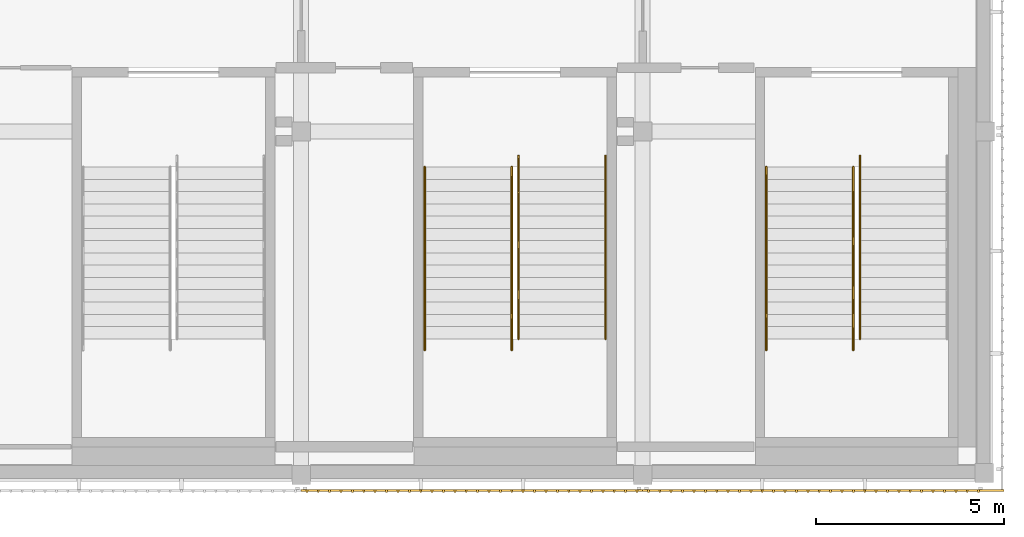
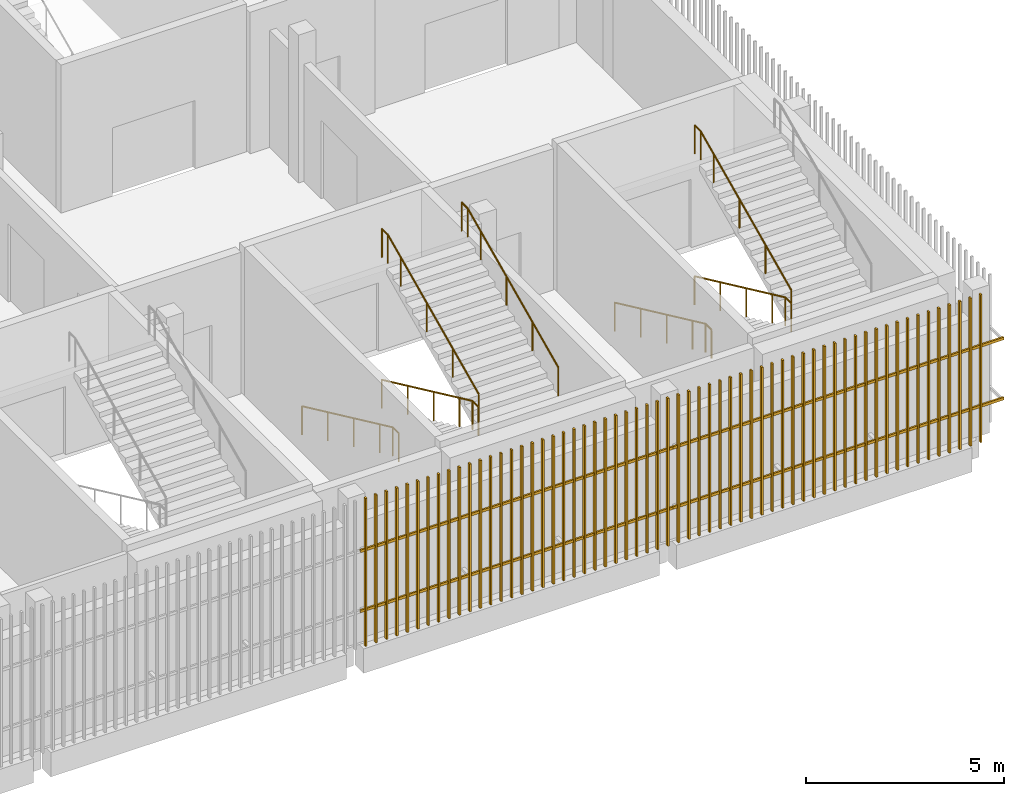
# One storey, part 83 of 91: 7 railings, 2 shading devices.
"""IFC4 building model written with IfcOpenShell, lengths in metres."""

from ifc_helpers import new_model, si_unit, direction, frame, origin, origin_2d, place, context, subcontext, project, spatial, rectangle, circle, extrude, material, type_object, element, save


model = new_model("IFC4")

# Units and contexts
model_context = context("Model", 3, precision=1e-05, world=origin(), true_north=direction((0.0, 1.0)))
body_context = subcontext(model_context, "Body", "Model", "MODEL_VIEW")
ifc_project = project(units=[si_unit("LENGTHUNIT", "METRE"), si_unit("AREAUNIT", "SQUARE_METRE"), si_unit("VOLUMEUNIT", "CUBIC_METRE"), si_unit("PLANEANGLEUNIT", "RADIAN"), si_unit("MASSUNIT", "GRAM", prefix="KILO")], contexts=[model_context])

# Site, building, storey
site_placement = place(None, origin())
site = spatial("IfcSite", under=ifc_project, at=site_placement, CompositionType="ELEMENT")
building_placement = place(site_placement, origin())
building = spatial("IfcBuilding", under=site, at=building_placement, Name="Shirokan Park Arena", CompositionType="ELEMENT")
storey_placement = place(building_placement, frame((0.0, 0.0, 24.570068359375)))
storey = spatial("IfcBuildingStorey", under=building, at=storey_placement, Name="L05", CompositionType="ELEMENT", Elevation=24.570068359375)

# Railings
ifc_material_1 = material(Name="Stainless steel", Category="steel")
railing_type = type_object("IfcRailingType", Name="Stair handrail 900", PredefinedType="HANDRAIL", material=ifc_material_1)
railing_1_placement = place(storey_placement, frame((139.7900390625, 8.14990234375, 0.151611328125)))
element("IfcRailing", 1, at=railing_1_placement, inside=storey, type_object=railing_type, Name="Handrail Exit Stair 2.A L05 to L06", PredefinedType="HANDRAIL", context=body_context, shape_type="SweptSolid", body=[
    extrude(circle(Radius=0.02392578125, at=origin_2d()), frame((0.0, 0.0, 0.8759765625), z_axis=(0.0, -0.906999720516, 0.421131222998), x_axis=(1.0, 0.0, 0.0)), (0.0, 0.0, 1.0), 1.440673828125),
    extrude(circle(Radius=0.02392578125, at=origin_2d()), frame((0.0, -1.306640625, 1.482421875), z_axis=(0.0, -0.907029769225, 0.421066500378), x_axis=(1.0, 0.0, 0.0)), (0.0, 0.0, 1.0), 1.44091796875),
    extrude(circle(Radius=0.02392578125, at=origin_2d()), frame((0.0, -2.613525390625, 2.08935546875), z_axis=(0.0, -0.907029769225, 0.421066500378), x_axis=(1.0, 0.0, 0.0)), (0.0, 0.0, 1.0), 1.44091796875),
    extrude(circle(Radius=0.02392578125, at=origin_2d()), frame((0.0, -3.92041015625, 2.69580078125), z_axis=(0.0, -0.907064445915, 0.420991794405), x_axis=(1.0, 0.0, 0.0)), (0.0, 0.0, 1.0), 0.72021484375),
    extrude(circle(Radius=0.02392578125, at=origin_2d()), frame((0.0, -4.57373046875, 2.9990234375), z_axis=(0.0, -1.0, 0.0), x_axis=(1.0, 0.0, 0.0)), (0.0, 0.0, 1.0), 0.300048828125),
    extrude(circle(Radius=0.02099609375, at=origin_2d()), origin(), (0.0, 0.0, 1.0), 0.851806640625),
    extrude(circle(Radius=0.02099609375, at=origin_2d()), frame((0.0, -1.306640625, 0.606689453125)), (0.0, 0.0, 1.0), 0.851806640625),
    extrude(circle(Radius=0.02099609375, at=origin_2d()), frame((0.0, -2.613525390625, 1.21337890625)), (0.0, 0.0, 1.0), 0.851806640625),
    extrude(circle(Radius=0.02099609375, at=origin_2d()), frame((0.0, -3.92041015625, 1.820068359375)), (0.0, 0.0, 1.0), 0.851806640625),
    extrude(circle(Radius=0.02099609375, at=origin_2d()), frame((0.0, -4.57373046875, 2.123291015625)), (0.0, 0.0, 1.0), 0.851806640625),
    extrude(circle(Radius=0.02099609375, at=origin_2d()), frame((0.0, -4.873779296875, 2.123291015625)), (0.0, 0.0, 1.0), 0.851806640625),
])
railing_2_placement = place(storey_placement, frame((142.110107421875, 8.14990234375, 0.151611328125)))
element("IfcRailing", 2, at=railing_2_placement, inside=storey, type_object=railing_type, Name="Handrail Exit Stair 2.A L05 to L06", PredefinedType="HANDRAIL", context=body_context, shape_type="SweptSolid", body=[
    extrude(circle(Radius=0.02392578125, at=origin_2d()), frame((0.0, 0.0, 0.8759765625), z_axis=(0.0, -0.906999720516, 0.421131222998), x_axis=(1.0, 0.0, 0.0)), (0.0, 0.0, 1.0), 1.440673828125),
    extrude(circle(Radius=0.02392578125, at=origin_2d()), frame((0.0, -1.306640625, 1.482421875), z_axis=(0.0, -0.907029769225, 0.421066500378), x_axis=(1.0, 0.0, 0.0)), (0.0, 0.0, 1.0), 1.44091796875),
    extrude(circle(Radius=0.02392578125, at=origin_2d()), frame((0.0, -2.613525390625, 2.08935546875), z_axis=(0.0, -0.907029769225, 0.421066500378), x_axis=(1.0, 0.0, 0.0)), (0.0, 0.0, 1.0), 1.44091796875),
    extrude(circle(Radius=0.02392578125, at=origin_2d()), frame((0.0, -3.92041015625, 2.69580078125), z_axis=(0.0, -0.907064445915, 0.420991794405), x_axis=(1.0, 0.0, 0.0)), (0.0, 0.0, 1.0), 0.72021484375),
    extrude(circle(Radius=0.02392578125, at=origin_2d()), frame((0.0, -4.57373046875, 2.9990234375), z_axis=(0.0, -1.0, 0.0), x_axis=(1.0, 0.0, 0.0)), (0.0, 0.0, 1.0), 0.300048828125),
    extrude(circle(Radius=0.02099609375, at=origin_2d()), origin(), (0.0, 0.0, 1.0), 0.851806640625),
    extrude(circle(Radius=0.02099609375, at=origin_2d()), frame((0.0, -1.306640625, 0.606689453125)), (0.0, 0.0, 1.0), 0.851806640625),
    extrude(circle(Radius=0.02099609375, at=origin_2d()), frame((0.0, -2.613525390625, 1.21337890625)), (0.0, 0.0, 1.0), 0.851806640625),
    extrude(circle(Radius=0.02099609375, at=origin_2d()), frame((0.0, -3.92041015625, 1.820068359375)), (0.0, 0.0, 1.0), 0.851806640625),
    extrude(circle(Radius=0.02099609375, at=origin_2d()), frame((0.0, -4.57373046875, 2.123291015625)), (0.0, 0.0, 1.0), 0.851806640625),
    extrude(circle(Radius=0.02099609375, at=origin_2d()), frame((0.0, -4.873779296875, 2.123291015625)), (0.0, 0.0, 1.0), 0.851806640625),
])
railing_3_placement = place(storey_placement, frame((142.2900390625, 3.576171875, 2.426513671875)))
element("IfcRailing", 3, at=railing_3_placement, inside=storey, type_object=railing_type, Name="Handrail Exit Stair 2.A L05 to L06", PredefinedType="HANDRAIL", context=body_context, shape_type="SweptSolid", body=[
    extrude(circle(Radius=0.02392578125, at=origin_2d()), frame((0.0, 0.0, 0.8759765625), z_axis=(0.0, 0.907029769225, 0.421066500378), x_axis=(-1.0, 0.0, 0.0)), (0.0, 0.0, 1.0), 1.44091796875),
    extrude(circle(Radius=0.02392578125, at=origin_2d()), frame((0.0, 1.306884765625, 1.482421875), z_axis=(0.0, 0.906999720516, 0.421131222998), x_axis=(-1.0, 0.0, 0.0)), (0.0, 0.0, 1.0), 1.440673828125),
    extrude(circle(Radius=0.02392578125, at=origin_2d()), frame((0.0, 2.613525390625, 2.08935546875), z_axis=(0.0, 0.907029769225, 0.421066500378), x_axis=(-1.0, 0.0, 0.0)), (0.0, 0.0, 1.0), 1.44091796875),
    extrude(circle(Radius=0.02392578125, at=origin_2d()), frame((0.0, 3.92041015625, 2.69580078125), z_axis=(0.0, 0.906934982928, 0.421270621741), x_axis=(-1.0, 0.0, 0.0)), (0.0, 0.0, 1.0), 0.720458984375),
    extrude(circle(Radius=0.02392578125, at=origin_2d()), frame((0.0, 4.57373046875, 2.99951171875), z_axis=(0.0, 1.0, 0.0), x_axis=(-1.0, 0.0, 0.0)), (0.0, 0.0, 1.0), 0.300048828125),
    extrude(circle(Radius=0.02099609375, at=origin_2d()), origin(), (0.0, 0.0, 1.0), 0.851806640625),
    extrude(circle(Radius=0.02099609375, at=origin_2d()), frame((0.0, 1.306884765625, 0.606689453125)), (0.0, 0.0, 1.0), 0.851806640625),
    extrude(circle(Radius=0.02099609375, at=origin_2d()), frame((0.0, 2.613525390625, 1.21337890625)), (0.0, 0.0, 1.0), 0.851806640625),
    extrude(circle(Radius=0.02099609375, at=origin_2d()), frame((0.0, 3.92041015625, 1.820068359375)), (0.0, 0.0, 1.0), 0.851806640625),
    extrude(circle(Radius=0.02099609375, at=origin_2d()), frame((0.0, 4.57373046875, 2.12353515625)), (0.0, 0.0, 1.0), 0.851806640625),
    extrude(circle(Radius=0.02099609375, at=origin_2d()), frame((0.0, 4.873779296875, 2.12353515625)), (0.0, 0.0, 1.0), 0.851806640625),
])
railing_4_placement = place(storey_placement, frame((130.68994140625, 8.14990234375, 0.151611328125)))
element("IfcRailing", 4, at=railing_4_placement, inside=storey, type_object=railing_type, Name="Handrail Exit Stair 2.B L05 to L06", PredefinedType="HANDRAIL", context=body_context, shape_type="SweptSolid", body=[
    extrude(circle(Radius=0.02392578125, at=origin_2d()), frame((0.0, 0.0, 0.8759765625), z_axis=(0.0, -0.906999720516, 0.421131222998), x_axis=(1.0, 0.0, 0.0)), (0.0, 0.0, 1.0), 1.440673828125),
    extrude(circle(Radius=0.02392578125, at=origin_2d()), frame((0.0, -1.306640625, 1.482421875), z_axis=(0.0, -0.907029769225, 0.421066500378), x_axis=(1.0, 0.0, 0.0)), (0.0, 0.0, 1.0), 1.44091796875),
    extrude(circle(Radius=0.02392578125, at=origin_2d()), frame((0.0, -2.613525390625, 2.08935546875), z_axis=(0.0, -0.907029769225, 0.421066500378), x_axis=(1.0, 0.0, 0.0)), (0.0, 0.0, 1.0), 1.44091796875),
    extrude(circle(Radius=0.02392578125, at=origin_2d()), frame((0.0, -3.92041015625, 2.69580078125), z_axis=(0.0, -0.907064445915, 0.420991794405), x_axis=(1.0, 0.0, 0.0)), (0.0, 0.0, 1.0), 0.72021484375),
    extrude(circle(Radius=0.02392578125, at=origin_2d()), frame((0.0, -4.57373046875, 2.9990234375), z_axis=(0.0, -1.0, 0.0), x_axis=(1.0, 0.0, 0.0)), (0.0, 0.0, 1.0), 0.300048828125),
    extrude(circle(Radius=0.02099609375, at=origin_2d()), origin(), (0.0, 0.0, 1.0), 0.851806640625),
    extrude(circle(Radius=0.02099609375, at=origin_2d()), frame((0.0, -1.306640625, 0.606689453125)), (0.0, 0.0, 1.0), 0.851806640625),
    extrude(circle(Radius=0.02099609375, at=origin_2d()), frame((0.0, -2.613525390625, 1.21337890625)), (0.0, 0.0, 1.0), 0.851806640625),
    extrude(circle(Radius=0.02099609375, at=origin_2d()), frame((0.0, -3.92041015625, 1.820068359375)), (0.0, 0.0, 1.0), 0.851806640625),
    extrude(circle(Radius=0.02099609375, at=origin_2d()), frame((0.0, -4.57373046875, 2.123291015625)), (0.0, 0.0, 1.0), 0.851806640625),
    extrude(circle(Radius=0.02099609375, at=origin_2d()), frame((0.0, -4.873779296875, 2.123291015625)), (0.0, 0.0, 1.0), 0.851806640625),
])
railing_5_placement = place(storey_placement, frame((133.010009765625, 8.14990234375, 0.151611328125)))
element("IfcRailing", 5, at=railing_5_placement, inside=storey, type_object=railing_type, Name="Handrail Exit Stair 2.B L05 to L06", PredefinedType="HANDRAIL", context=body_context, shape_type="SweptSolid", body=[
    extrude(circle(Radius=0.02392578125, at=origin_2d()), frame((0.0, 0.0, 0.8759765625), z_axis=(0.0, -0.906999720516, 0.421131222998), x_axis=(1.0, 0.0, 0.0)), (0.0, 0.0, 1.0), 1.440673828125),
    extrude(circle(Radius=0.02392578125, at=origin_2d()), frame((0.0, -1.306640625, 1.482421875), z_axis=(0.0, -0.907029769225, 0.421066500378), x_axis=(1.0, 0.0, 0.0)), (0.0, 0.0, 1.0), 1.44091796875),
    extrude(circle(Radius=0.02392578125, at=origin_2d()), frame((0.0, -2.613525390625, 2.08935546875), z_axis=(0.0, -0.907029769225, 0.421066500378), x_axis=(1.0, 0.0, 0.0)), (0.0, 0.0, 1.0), 1.44091796875),
    extrude(circle(Radius=0.02392578125, at=origin_2d()), frame((0.0, -3.92041015625, 2.69580078125), z_axis=(0.0, -0.907064445915, 0.420991794405), x_axis=(1.0, 0.0, 0.0)), (0.0, 0.0, 1.0), 0.72021484375),
    extrude(circle(Radius=0.02392578125, at=origin_2d()), frame((0.0, -4.57373046875, 2.9990234375), z_axis=(0.0, -1.0, 0.0), x_axis=(1.0, 0.0, 0.0)), (0.0, 0.0, 1.0), 0.300048828125),
    extrude(circle(Radius=0.02099609375, at=origin_2d()), origin(), (0.0, 0.0, 1.0), 0.851806640625),
    extrude(circle(Radius=0.02099609375, at=origin_2d()), frame((0.0, -1.306640625, 0.606689453125)), (0.0, 0.0, 1.0), 0.851806640625),
    extrude(circle(Radius=0.02099609375, at=origin_2d()), frame((0.0, -2.613525390625, 1.21337890625)), (0.0, 0.0, 1.0), 0.851806640625),
    extrude(circle(Radius=0.02099609375, at=origin_2d()), frame((0.0, -3.92041015625, 1.820068359375)), (0.0, 0.0, 1.0), 0.851806640625),
    extrude(circle(Radius=0.02099609375, at=origin_2d()), frame((0.0, -4.57373046875, 2.123291015625)), (0.0, 0.0, 1.0), 0.851806640625),
    extrude(circle(Radius=0.02099609375, at=origin_2d()), frame((0.0, -4.873779296875, 2.123291015625)), (0.0, 0.0, 1.0), 0.851806640625),
])
railing_6_placement = place(storey_placement, frame((133.18994140625, 3.576171875, 2.426513671875)))
element("IfcRailing", 6, at=railing_6_placement, inside=storey, type_object=railing_type, Name="Handrail Exit Stair 2.B L05 to L06", PredefinedType="HANDRAIL", context=body_context, shape_type="SweptSolid", body=[
    extrude(circle(Radius=0.02392578125, at=origin_2d()), frame((0.0, 0.0, 0.8759765625), z_axis=(0.0, 0.907029769225, 0.421066500378), x_axis=(-1.0, 0.0, 0.0)), (0.0, 0.0, 1.0), 1.44091796875),
    extrude(circle(Radius=0.02392578125, at=origin_2d()), frame((0.0, 1.306884765625, 1.482421875), z_axis=(0.0, 0.906999720516, 0.421131222998), x_axis=(-1.0, 0.0, 0.0)), (0.0, 0.0, 1.0), 1.440673828125),
    extrude(circle(Radius=0.02392578125, at=origin_2d()), frame((0.0, 2.613525390625, 2.08935546875), z_axis=(0.0, 0.907029769225, 0.421066500378), x_axis=(-1.0, 0.0, 0.0)), (0.0, 0.0, 1.0), 1.44091796875),
    extrude(circle(Radius=0.02392578125, at=origin_2d()), frame((0.0, 3.92041015625, 2.69580078125), z_axis=(0.0, 0.906934982928, 0.421270621741), x_axis=(-1.0, 0.0, 0.0)), (0.0, 0.0, 1.0), 0.720458984375),
    extrude(circle(Radius=0.02392578125, at=origin_2d()), frame((0.0, 4.57373046875, 2.99951171875), z_axis=(0.0, 1.0, 0.0), x_axis=(-1.0, 0.0, 0.0)), (0.0, 0.0, 1.0), 0.300048828125),
    extrude(circle(Radius=0.02099609375, at=origin_2d()), origin(), (0.0, 0.0, 1.0), 0.851806640625),
    extrude(circle(Radius=0.02099609375, at=origin_2d()), frame((0.0, 1.306884765625, 0.606689453125)), (0.0, 0.0, 1.0), 0.851806640625),
    extrude(circle(Radius=0.02099609375, at=origin_2d()), frame((0.0, 2.613525390625, 1.21337890625)), (0.0, 0.0, 1.0), 0.851806640625),
    extrude(circle(Radius=0.02099609375, at=origin_2d()), frame((0.0, 3.92041015625, 1.820068359375)), (0.0, 0.0, 1.0), 0.851806640625),
    extrude(circle(Radius=0.02099609375, at=origin_2d()), frame((0.0, 4.57373046875, 2.12353515625)), (0.0, 0.0, 1.0), 0.851806640625),
    extrude(circle(Radius=0.02099609375, at=origin_2d()), frame((0.0, 4.873779296875, 2.12353515625)), (0.0, 0.0, 1.0), 0.851806640625),
])
railing_7_placement = place(storey_placement, frame((135.510009765625, 3.576171875, 2.426513671875)))
element("IfcRailing", 7, at=railing_7_placement, inside=storey, type_object=railing_type, Name="Handrail Exit Stair 2.B L05 to L06", PredefinedType="HANDRAIL", context=body_context, shape_type="SweptSolid", body=[
    extrude(circle(Radius=0.02392578125, at=origin_2d()), frame((0.0, 0.0, 0.8759765625), z_axis=(0.0, 0.907029769225, 0.421066500378), x_axis=(-1.0, 0.0, 0.0)), (0.0, 0.0, 1.0), 1.44091796875),
    extrude(circle(Radius=0.02392578125, at=origin_2d()), frame((0.0, 1.306884765625, 1.482421875), z_axis=(0.0, 0.906999720516, 0.421131222998), x_axis=(-1.0, 0.0, 0.0)), (0.0, 0.0, 1.0), 1.440673828125),
    extrude(circle(Radius=0.02392578125, at=origin_2d()), frame((0.0, 2.613525390625, 2.08935546875), z_axis=(0.0, 0.907029769225, 0.421066500378), x_axis=(-1.0, 0.0, 0.0)), (0.0, 0.0, 1.0), 1.44091796875),
    extrude(circle(Radius=0.02392578125, at=origin_2d()), frame((0.0, 3.92041015625, 2.69580078125), z_axis=(0.0, 0.906934982928, 0.421270621741), x_axis=(-1.0, 0.0, 0.0)), (0.0, 0.0, 1.0), 0.720458984375),
    extrude(circle(Radius=0.02392578125, at=origin_2d()), frame((0.0, 4.57373046875, 2.99951171875), z_axis=(0.0, 1.0, 0.0), x_axis=(-1.0, 0.0, 0.0)), (0.0, 0.0, 1.0), 0.300048828125),
    extrude(circle(Radius=0.02099609375, at=origin_2d()), origin(), (0.0, 0.0, 1.0), 0.851806640625),
    extrude(circle(Radius=0.02099609375, at=origin_2d()), frame((0.0, 1.306884765625, 0.606689453125)), (0.0, 0.0, 1.0), 0.851806640625),
    extrude(circle(Radius=0.02099609375, at=origin_2d()), frame((0.0, 2.613525390625, 1.21337890625)), (0.0, 0.0, 1.0), 0.851806640625),
    extrude(circle(Radius=0.02099609375, at=origin_2d()), frame((0.0, 3.92041015625, 1.820068359375)), (0.0, 0.0, 1.0), 0.851806640625),
    extrude(circle(Radius=0.02099609375, at=origin_2d()), frame((0.0, 4.57373046875, 2.12353515625)), (0.0, 0.0, 1.0), 0.851806640625),
    extrude(circle(Radius=0.02099609375, at=origin_2d()), frame((0.0, 4.873779296875, 2.12353515625)), (0.0, 0.0, 1.0), 0.851806640625),
])

# Shading devices
ifc_material_2 = material(Name="Timber louvre veil (cedar)", Category="wood")
shading_device_type = type_object("IfcShadingDeviceType", Name="Timber louvre veil panel", PredefinedType="JALOUSIE", material=ifc_material_2)
shading_device_1_placement = place(storey_placement, origin())
element("IfcShadingDevice", 8, at=shading_device_1_placement, inside=storey, type_object=shading_device_type, Name="Timber louvre veil south bay 15 L05", PredefinedType="JALOUSIE", context=body_context, shape_type="SweptSolid", body=[
    extrude(rectangle(XDim=0.050048828125, YDim=0.080078125, at=origin_2d()), frame((127.5517578125, -0.485107421875, 0.0), z_axis=(0.0, 0.0, 1.0), x_axis=(1.0, 0.0, 0.0)), (0.0, 0.0, 1.0), 4.550048828125),
    extrude(rectangle(XDim=0.050048828125, YDim=0.080078125, at=origin_2d()), frame((127.85498046875, -0.485107421875, 0.0), z_axis=(0.0, 0.0, 1.0), x_axis=(1.0, 0.0, 0.0)), (0.0, 0.0, 1.0), 4.550048828125),
    extrude(rectangle(XDim=0.050048828125, YDim=0.080078125, at=origin_2d()), frame((128.158447265625, -0.485107421875, 0.0), z_axis=(0.0, 0.0, 1.0), x_axis=(1.0, 0.0, 0.0)), (0.0, 0.0, 1.0), 4.550048828125),
    extrude(rectangle(XDim=0.050048828125, YDim=0.080078125, at=origin_2d()), frame((128.461669921875, -0.485107421875, 0.0), z_axis=(0.0, 0.0, 1.0), x_axis=(1.0, 0.0, 0.0)), (0.0, 0.0, 1.0), 4.550048828125),
    extrude(rectangle(XDim=0.050048828125, YDim=0.080078125, at=origin_2d()), frame((128.764892578125, -0.485107421875, 0.0), z_axis=(0.0, 0.0, 1.0), x_axis=(1.0, 0.0, 0.0)), (0.0, 0.0, 1.0), 4.550048828125),
    extrude(rectangle(XDim=0.050048828125, YDim=0.080078125, at=origin_2d()), frame((129.068359375, -0.485107421875, 0.0), z_axis=(0.0, 0.0, 1.0), x_axis=(1.0, 0.0, 0.0)), (0.0, 0.0, 1.0), 4.550048828125),
    extrude(rectangle(XDim=0.050048828125, YDim=0.080078125, at=origin_2d()), frame((129.37158203125, -0.485107421875, 0.0), z_axis=(0.0, 0.0, 1.0), x_axis=(1.0, 0.0, 0.0)), (0.0, 0.0, 1.0), 4.550048828125),
    extrude(rectangle(XDim=0.050048828125, YDim=0.080078125, at=origin_2d()), frame((129.675048828125, -0.485107421875, 0.0), z_axis=(0.0, 0.0, 1.0), x_axis=(1.0, 0.0, 0.0)), (0.0, 0.0, 1.0), 4.550048828125),
    extrude(rectangle(XDim=0.050048828125, YDim=0.080078125, at=origin_2d()), frame((129.978271484375, -0.485107421875, 0.0), z_axis=(0.0, 0.0, 1.0), x_axis=(1.0, 0.0, 0.0)), (0.0, 0.0, 1.0), 4.550048828125),
    extrude(rectangle(XDim=0.050048828125, YDim=0.080078125, at=origin_2d()), frame((130.28173828125, -0.485107421875, 0.0), z_axis=(0.0, 0.0, 1.0), x_axis=(1.0, 0.0, 0.0)), (0.0, 0.0, 1.0), 4.550048828125),
    extrude(rectangle(XDim=0.050048828125, YDim=0.080078125, at=origin_2d()), frame((130.5849609375, -0.485107421875, 0.0), z_axis=(0.0, 0.0, 1.0), x_axis=(1.0, 0.0, 0.0)), (0.0, 0.0, 1.0), 4.550048828125),
    extrude(rectangle(XDim=0.050048828125, YDim=0.080078125, at=origin_2d()), frame((130.888427734375, -0.485107421875, 0.0), z_axis=(0.0, 0.0, 1.0), x_axis=(1.0, 0.0, 0.0)), (0.0, 0.0, 1.0), 4.550048828125),
    extrude(rectangle(XDim=0.050048828125, YDim=0.080078125, at=origin_2d()), frame((131.191650390625, -0.485107421875, 0.0), z_axis=(0.0, 0.0, 1.0), x_axis=(1.0, 0.0, 0.0)), (0.0, 0.0, 1.0), 4.550048828125),
    extrude(rectangle(XDim=0.050048828125, YDim=0.080078125, at=origin_2d()), frame((131.4951171875, -0.485107421875, 0.0), z_axis=(0.0, 0.0, 1.0), x_axis=(1.0, 0.0, 0.0)), (0.0, 0.0, 1.0), 4.550048828125),
    extrude(rectangle(XDim=0.050048828125, YDim=0.080078125, at=origin_2d()), frame((131.79833984375, -0.485107421875, 0.0), z_axis=(0.0, 0.0, 1.0), x_axis=(1.0, 0.0, 0.0)), (0.0, 0.0, 1.0), 4.550048828125),
    extrude(rectangle(XDim=0.050048828125, YDim=0.080078125, at=origin_2d()), frame((132.1015625, -0.485107421875, 0.0), z_axis=(0.0, 0.0, 1.0), x_axis=(1.0, 0.0, 0.0)), (0.0, 0.0, 1.0), 4.550048828125),
    extrude(rectangle(XDim=0.050048828125, YDim=0.080078125, at=origin_2d()), frame((132.405029296875, -0.485107421875, 0.0), z_axis=(0.0, 0.0, 1.0), x_axis=(1.0, 0.0, 0.0)), (0.0, 0.0, 1.0), 4.550048828125),
    extrude(rectangle(XDim=0.050048828125, YDim=0.080078125, at=origin_2d()), frame((132.708251953125, -0.485107421875, 0.0), z_axis=(0.0, 0.0, 1.0), x_axis=(1.0, 0.0, 0.0)), (0.0, 0.0, 1.0), 4.550048828125),
    extrude(rectangle(XDim=0.050048828125, YDim=0.080078125, at=origin_2d()), frame((133.01171875, -0.485107421875, 0.0), z_axis=(0.0, 0.0, 1.0), x_axis=(1.0, 0.0, 0.0)), (0.0, 0.0, 1.0), 4.550048828125),
    extrude(rectangle(XDim=0.050048828125, YDim=0.080078125, at=origin_2d()), frame((133.31494140625, -0.485107421875, 0.0), z_axis=(0.0, 0.0, 1.0), x_axis=(1.0, 0.0, 0.0)), (0.0, 0.0, 1.0), 4.550048828125),
    extrude(rectangle(XDim=0.050048828125, YDim=0.080078125, at=origin_2d()), frame((133.618408203125, -0.485107421875, 0.0), z_axis=(0.0, 0.0, 1.0), x_axis=(1.0, 0.0, 0.0)), (0.0, 0.0, 1.0), 4.550048828125),
    extrude(rectangle(XDim=0.050048828125, YDim=0.080078125, at=origin_2d()), frame((133.921630859375, -0.485107421875, 0.0), z_axis=(0.0, 0.0, 1.0), x_axis=(1.0, 0.0, 0.0)), (0.0, 0.0, 1.0), 4.550048828125),
    extrude(rectangle(XDim=0.050048828125, YDim=0.080078125, at=origin_2d()), frame((134.22509765625, -0.485107421875, 0.0), z_axis=(0.0, 0.0, 1.0), x_axis=(1.0, 0.0, 0.0)), (0.0, 0.0, 1.0), 4.550048828125),
    extrude(rectangle(XDim=0.050048828125, YDim=0.080078125, at=origin_2d()), frame((134.5283203125, -0.485107421875, 0.0), z_axis=(0.0, 0.0, 1.0), x_axis=(1.0, 0.0, 0.0)), (0.0, 0.0, 1.0), 4.550048828125),
    extrude(rectangle(XDim=0.050048828125, YDim=0.080078125, at=origin_2d()), frame((134.831787109375, -0.485107421875, 0.0), z_axis=(0.0, 0.0, 1.0), x_axis=(1.0, 0.0, 0.0)), (0.0, 0.0, 1.0), 4.550048828125),
    extrude(rectangle(XDim=0.050048828125, YDim=0.080078125, at=origin_2d()), frame((135.135009765625, -0.485107421875, 0.0), z_axis=(0.0, 0.0, 1.0), x_axis=(1.0, 0.0, 0.0)), (0.0, 0.0, 1.0), 4.550048828125),
    extrude(rectangle(XDim=0.050048828125, YDim=0.080078125, at=origin_2d()), frame((135.438232421875, -0.485107421875, 0.0), z_axis=(0.0, 0.0, 1.0), x_axis=(1.0, 0.0, 0.0)), (0.0, 0.0, 1.0), 4.550048828125),
    extrude(rectangle(XDim=0.050048828125, YDim=0.080078125, at=origin_2d()), frame((135.74169921875, -0.485107421875, 0.0), z_axis=(0.0, 0.0, 1.0), x_axis=(1.0, 0.0, 0.0)), (0.0, 0.0, 1.0), 4.550048828125),
    extrude(rectangle(XDim=0.050048828125, YDim=0.080078125, at=origin_2d()), frame((136.044921875, -0.485107421875, 0.0), z_axis=(0.0, 0.0, 1.0), x_axis=(1.0, 0.0, 0.0)), (0.0, 0.0, 1.0), 4.550048828125),
    extrude(rectangle(XDim=0.050048828125, YDim=0.080078125, at=origin_2d()), frame((136.348388671875, -0.485107421875, 0.0), z_axis=(0.0, 0.0, 1.0), x_axis=(1.0, 0.0, 0.0)), (0.0, 0.0, 1.0), 4.550048828125),
    extrude(rectangle(XDim=9.10009765625, YDim=0.050048828125, at=origin_2d()), frame((131.949951171875, -0.469970703125, 1.059814453125), z_axis=(0.0, 0.0, 1.0), x_axis=(1.0, 0.0, 0.0)), (0.0, 0.0, 1.0), 0.080078125),
    extrude(rectangle(XDim=9.10009765625, YDim=0.050048828125, at=origin_2d()), frame((131.949951171875, -0.469970703125, 2.909912109375), z_axis=(0.0, 0.0, 1.0), x_axis=(1.0, 0.0, 0.0)), (0.0, 0.0, 1.0), 0.080078125),
])
shading_device_2_placement = place(storey_placement, origin())
element("IfcShadingDevice", 9, at=shading_device_2_placement, inside=storey, type_object=shading_device_type, Name="Timber louvre veil south bay 16 L05", PredefinedType="JALOUSIE", context=body_context, shape_type="SweptSolid", body=[
    extrude(rectangle(XDim=0.050048828125, YDim=0.080078125, at=origin_2d()), frame((136.651611328125, -0.485107421875, 0.0), z_axis=(0.0, 0.0, 1.0), x_axis=(1.0, 0.0, 0.0)), (0.0, 0.0, 1.0), 4.550048828125),
    extrude(rectangle(XDim=0.050048828125, YDim=0.080078125, at=origin_2d()), frame((136.955078125, -0.485107421875, 0.0), z_axis=(0.0, 0.0, 1.0), x_axis=(1.0, 0.0, 0.0)), (0.0, 0.0, 1.0), 4.550048828125),
    extrude(rectangle(XDim=0.050048828125, YDim=0.080078125, at=origin_2d()), frame((137.25830078125, -0.485107421875, 0.0), z_axis=(0.0, 0.0, 1.0), x_axis=(1.0, 0.0, 0.0)), (0.0, 0.0, 1.0), 4.550048828125),
    extrude(rectangle(XDim=0.050048828125, YDim=0.080078125, at=origin_2d()), frame((137.561767578125, -0.485107421875, 0.0), z_axis=(0.0, 0.0, 1.0), x_axis=(1.0, 0.0, 0.0)), (0.0, 0.0, 1.0), 4.550048828125),
    extrude(rectangle(XDim=0.050048828125, YDim=0.080078125, at=origin_2d()), frame((137.864990234375, -0.485107421875, 0.0), z_axis=(0.0, 0.0, 1.0), x_axis=(1.0, 0.0, 0.0)), (0.0, 0.0, 1.0), 4.550048828125),
    extrude(rectangle(XDim=0.050048828125, YDim=0.080078125, at=origin_2d()), frame((138.168212890625, -0.485107421875, 0.0), z_axis=(0.0, 0.0, 1.0), x_axis=(1.0, 0.0, 0.0)), (0.0, 0.0, 1.0), 4.550048828125),
    extrude(rectangle(XDim=0.050048828125, YDim=0.080078125, at=origin_2d()), frame((138.4716796875, -0.485107421875, 0.0), z_axis=(0.0, 0.0, 1.0), x_axis=(1.0, 0.0, 0.0)), (0.0, 0.0, 1.0), 4.550048828125),
    extrude(rectangle(XDim=0.050048828125, YDim=0.080078125, at=origin_2d()), frame((138.77490234375, -0.485107421875, 0.0), z_axis=(0.0, 0.0, 1.0), x_axis=(1.0, 0.0, 0.0)), (0.0, 0.0, 1.0), 4.550048828125),
    extrude(rectangle(XDim=0.050048828125, YDim=0.080078125, at=origin_2d()), frame((139.078369140625, -0.485107421875, 0.0), z_axis=(0.0, 0.0, 1.0), x_axis=(1.0, 0.0, 0.0)), (0.0, 0.0, 1.0), 4.550048828125),
    extrude(rectangle(XDim=0.050048828125, YDim=0.080078125, at=origin_2d()), frame((139.381591796875, -0.485107421875, 0.0), z_axis=(0.0, 0.0, 1.0), x_axis=(1.0, 0.0, 0.0)), (0.0, 0.0, 1.0), 4.550048828125),
    extrude(rectangle(XDim=0.050048828125, YDim=0.080078125, at=origin_2d()), frame((139.68505859375, -0.485107421875, 0.0), z_axis=(0.0, 0.0, 1.0), x_axis=(1.0, 0.0, 0.0)), (0.0, 0.0, 1.0), 4.550048828125),
    extrude(rectangle(XDim=0.050048828125, YDim=0.080078125, at=origin_2d()), frame((139.98828125, -0.485107421875, 0.0), z_axis=(0.0, 0.0, 1.0), x_axis=(1.0, 0.0, 0.0)), (0.0, 0.0, 1.0), 4.550048828125),
    extrude(rectangle(XDim=0.050048828125, YDim=0.080078125, at=origin_2d()), frame((140.291748046875, -0.485107421875, 0.0), z_axis=(0.0, 0.0, 1.0), x_axis=(1.0, 0.0, 0.0)), (0.0, 0.0, 1.0), 4.550048828125),
    extrude(rectangle(XDim=0.050048828125, YDim=0.080078125, at=origin_2d()), frame((140.594970703125, -0.485107421875, 0.0), z_axis=(0.0, 0.0, 1.0), x_axis=(1.0, 0.0, 0.0)), (0.0, 0.0, 1.0), 4.550048828125),
    extrude(rectangle(XDim=0.050048828125, YDim=0.080078125, at=origin_2d()), frame((140.8984375, -0.485107421875, 0.0), z_axis=(0.0, 0.0, 1.0), x_axis=(1.0, 0.0, 0.0)), (0.0, 0.0, 1.0), 4.550048828125),
    extrude(rectangle(XDim=0.050048828125, YDim=0.080078125, at=origin_2d()), frame((141.20166015625, -0.485107421875, 0.0), z_axis=(0.0, 0.0, 1.0), x_axis=(1.0, 0.0, 0.0)), (0.0, 0.0, 1.0), 4.550048828125),
    extrude(rectangle(XDim=0.050048828125, YDim=0.080078125, at=origin_2d()), frame((141.5048828125, -0.485107421875, 0.0), z_axis=(0.0, 0.0, 1.0), x_axis=(1.0, 0.0, 0.0)), (0.0, 0.0, 1.0), 4.550048828125),
    extrude(rectangle(XDim=0.050048828125, YDim=0.080078125, at=origin_2d()), frame((141.808349609375, -0.485107421875, 0.0), z_axis=(0.0, 0.0, 1.0), x_axis=(1.0, 0.0, 0.0)), (0.0, 0.0, 1.0), 4.550048828125),
    extrude(rectangle(XDim=0.050048828125, YDim=0.080078125, at=origin_2d()), frame((142.111572265625, -0.485107421875, 0.0), z_axis=(0.0, 0.0, 1.0), x_axis=(1.0, 0.0, 0.0)), (0.0, 0.0, 1.0), 4.550048828125),
    extrude(rectangle(XDim=0.050048828125, YDim=0.080078125, at=origin_2d()), frame((142.4150390625, -0.485107421875, 0.0), z_axis=(0.0, 0.0, 1.0), x_axis=(1.0, 0.0, 0.0)), (0.0, 0.0, 1.0), 4.550048828125),
    extrude(rectangle(XDim=0.050048828125, YDim=0.080078125, at=origin_2d()), frame((142.71826171875, -0.485107421875, 0.0), z_axis=(0.0, 0.0, 1.0), x_axis=(1.0, 0.0, 0.0)), (0.0, 0.0, 1.0), 4.550048828125),
    extrude(rectangle(XDim=0.050048828125, YDim=0.080078125, at=origin_2d()), frame((143.021728515625, -0.485107421875, 0.0), z_axis=(0.0, 0.0, 1.0), x_axis=(1.0, 0.0, 0.0)), (0.0, 0.0, 1.0), 4.550048828125),
    extrude(rectangle(XDim=0.050048828125, YDim=0.080078125, at=origin_2d()), frame((143.324951171875, -0.485107421875, 0.0), z_axis=(0.0, 0.0, 1.0), x_axis=(1.0, 0.0, 0.0)), (0.0, 0.0, 1.0), 4.550048828125),
    extrude(rectangle(XDim=0.050048828125, YDim=0.080078125, at=origin_2d()), frame((143.62841796875, -0.485107421875, 0.0), z_axis=(0.0, 0.0, 1.0), x_axis=(1.0, 0.0, 0.0)), (0.0, 0.0, 1.0), 4.550048828125),
    extrude(rectangle(XDim=0.050048828125, YDim=0.080078125, at=origin_2d()), frame((143.931640625, -0.485107421875, 0.0), z_axis=(0.0, 0.0, 1.0), x_axis=(1.0, 0.0, 0.0)), (0.0, 0.0, 1.0), 4.550048828125),
    extrude(rectangle(XDim=0.050048828125, YDim=0.080078125, at=origin_2d()), frame((144.235107421875, -0.485107421875, 0.0), z_axis=(0.0, 0.0, 1.0), x_axis=(1.0, 0.0, 0.0)), (0.0, 0.0, 1.0), 4.550048828125),
    extrude(rectangle(XDim=0.050048828125, YDim=0.080078125, at=origin_2d()), frame((144.538330078125, -0.485107421875, 0.0), z_axis=(0.0, 0.0, 1.0), x_axis=(1.0, 0.0, 0.0)), (0.0, 0.0, 1.0), 4.550048828125),
    extrude(rectangle(XDim=0.050048828125, YDim=0.080078125, at=origin_2d()), frame((144.841552734375, -0.485107421875, 0.0), z_axis=(0.0, 0.0, 1.0), x_axis=(1.0, 0.0, 0.0)), (0.0, 0.0, 1.0), 4.550048828125),
    extrude(rectangle(XDim=0.050048828125, YDim=0.080078125, at=origin_2d()), frame((145.14501953125, -0.485107421875, 0.0), z_axis=(0.0, 0.0, 1.0), x_axis=(1.0, 0.0, 0.0)), (0.0, 0.0, 1.0), 4.550048828125),
    extrude(rectangle(XDim=0.050048828125, YDim=0.080078125, at=origin_2d()), frame((145.4482421875, -0.485107421875, 0.0), z_axis=(0.0, 0.0, 1.0), x_axis=(1.0, 0.0, 0.0)), (0.0, 0.0, 1.0), 4.550048828125),
    extrude(rectangle(XDim=9.625, YDim=0.050048828125, at=origin_2d()), frame((141.3125, -0.469970703125, 1.059814453125), z_axis=(0.0, 0.0, 1.0), x_axis=(1.0, 0.0, 0.0)), (0.0, 0.0, 1.0), 0.080078125),
    extrude(rectangle(XDim=9.625, YDim=0.050048828125, at=origin_2d()), frame((141.3125, -0.469970703125, 2.909912109375), z_axis=(0.0, 0.0, 1.0), x_axis=(1.0, 0.0, 0.0)), (0.0, 0.0, 1.0), 0.080078125),
])

save(model, "model.ifc")
